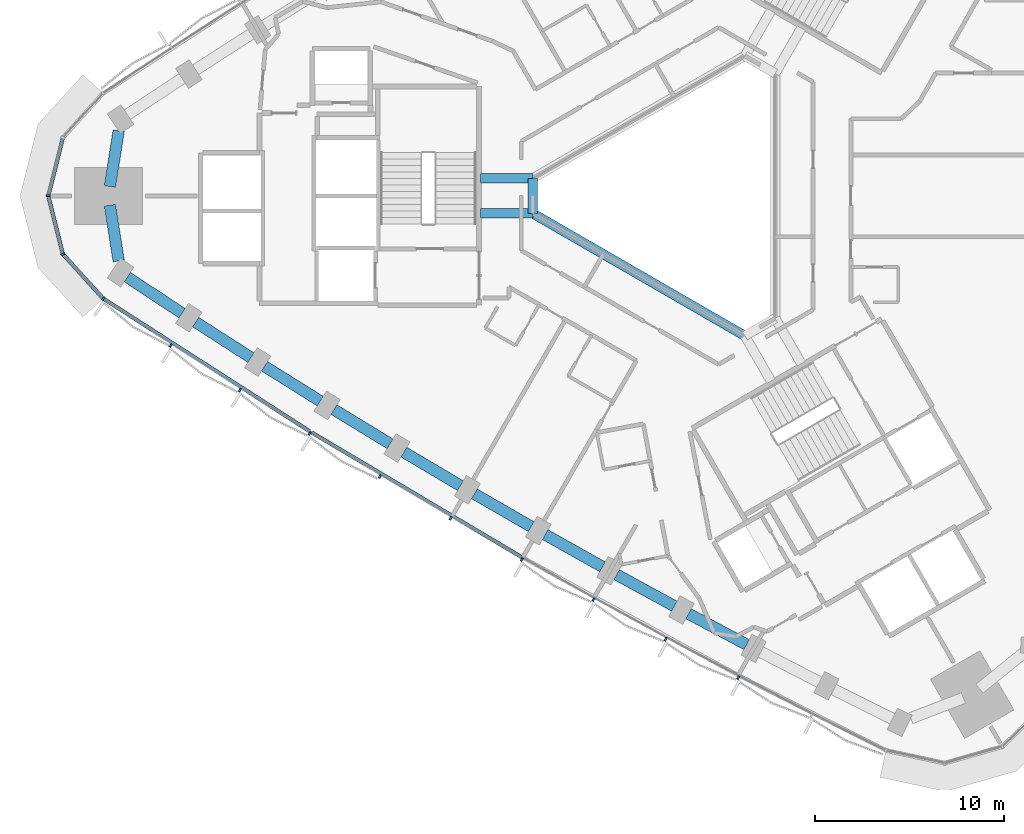
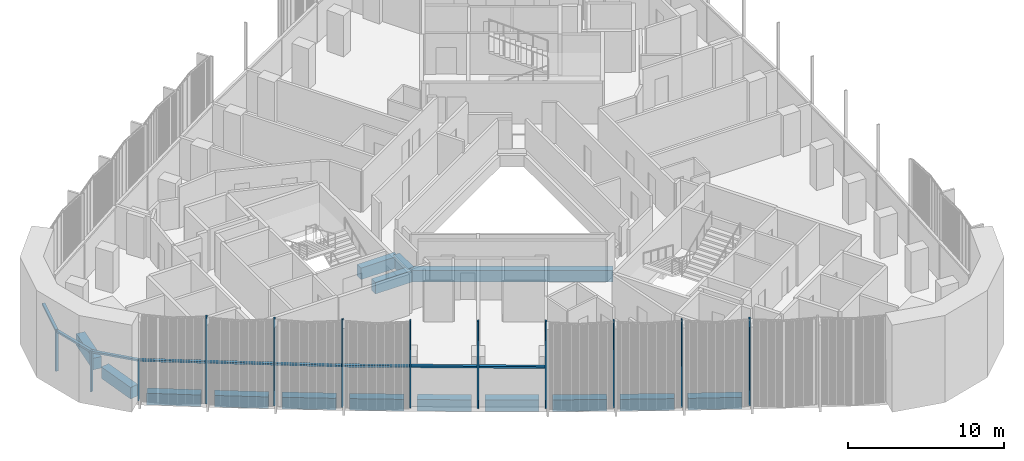
# One storey, part 2 of 15: 17 members, 15 beams, 2 elements without a shape of their own.
"""IFC4 building model written with IfcOpenShell, lengths in metres."""

from ifc_helpers import new_model, si_unit, direction, frame, origin, origin_2d, place, context, subcontext, project, spatial, rectangle, extrude, material, material_profile, profile_set, type_object, element, aggregate, save


model = new_model("IFC4")

# Units and contexts
model_context = context("Model", 3, precision=1e-05, world=origin(), true_north=direction((0.0, 1.0)))
body_context = subcontext(model_context, "Body", "Model", "MODEL_VIEW")
ifc_project = project(units=[si_unit("LENGTHUNIT", "METRE"), si_unit("AREAUNIT", "SQUARE_METRE"), si_unit("VOLUMEUNIT", "CUBIC_METRE"), si_unit("PLANEANGLEUNIT", "RADIAN"), si_unit("MASSUNIT", "GRAM", prefix="KILO")], contexts=[model_context])

# Site, building, storey
site_placement = place(None, origin())
site = spatial("IfcSite", under=ifc_project, at=site_placement, CompositionType="ELEMENT")
building_placement = place(site_placement, origin())
building = spatial("IfcBuilding", under=site, at=building_placement, Name="Tamra Quay Hotel Tower", CompositionType="ELEMENT")
storey_placement = place(building_placement, frame((0.0, 0.0, 128.800048828125)))
storey = spatial("IfcBuildingStorey", under=building, at=storey_placement, Name="L31", CompositionType="ELEMENT", Elevation=128.800048828125)

# Beams
ifc_material_1 = material(Name="Concrete M60", Category="concrete")
ifc_material_profile_1 = material_profile(ifc_material_1, rectangle(XDim=0.5, YDim=0.89990234375, at=origin_2d()), Name="ATRIUM EDGE BEAM RC 500x900")
ifc_profile_set_1 = profile_set([ifc_material_profile_1], Name="Concrete M60")
beam_type_1 = type_object("IfcBeamType", Name="ATRIUM EDGE BEAM RC 500x900", PredefinedType="BEAM", material=ifc_profile_set_1)
beam_1_placement = place(storey_placement, frame((3.199951171875, -7.39013671875, -0.85009765625), z_axis=(-0.866024942741, 0.500000798549, 0.0), x_axis=(-0.500000798549, -0.866024942741, 0.0)))
element("IfcBeam", 1, at=beam_1_placement, inside=storey, type_object=beam_type_1, Name="BM-AB2-L31", PredefinedType="BEAM", context=body_context, shape_type="SweptSolid", body=[
    extrude(rectangle(XDim=0.5, YDim=0.89990234375, at=origin_2d()), origin(), (0.0, 0.0, 1.0), 12.9326171875),
])
beam_2_placement = place(storey_placement, frame((-8.0, -0.923828125, -0.85009765625), z_axis=(0.0, 1.0, 0.0), x_axis=(-1.0, 0.0, 0.0)))
element("IfcBeam", 2, at=beam_2_placement, inside=storey, type_object=beam_type_1, Name="BM-AB3-L31", PredefinedType="BEAM", context=body_context, shape_type="SweptSolid", body=[
    extrude(rectangle(XDim=0.5, YDim=0.89990234375, at=origin_2d()), origin(), (0.0, 0.0, 1.0), 1.84765625),
])
ifc_material_profile_2 = material_profile(ifc_material_1, rectangle(XDim=0.5, YDim=0.89990234375, at=origin_2d()), Name="ATRIUM TIE BEAM RC 500x900")
ifc_profile_set_2 = profile_set([ifc_material_profile_2], Name="Concrete M60")
beam_type_2 = type_object("IfcBeamType", Name="ATRIUM TIE BEAM RC 500x900", PredefinedType="BEAM", material=ifc_profile_set_2)
for number, where, z_axis, x_axis, name in (
    (3, (-8.0, -0.923828125, -0.85009765625), (-1.0, 0.0, 0.0), (0.0, -1.0, 0.0), "BM-TIE-3-L31"),
    (4, (-8.0, 0.923828125, -0.85009765625), (-1.0, 0.0, 0.0), (0.0, -1.0, 0.0), "BM-TIE-4-L31"),
):
    element("IfcBeam", number, at=place(storey_placement, frame(where, z_axis=z_axis, x_axis=x_axis)), inside=storey, type_object=beam_type_2, Name=name, PredefinedType="BEAM", context=body_context, shape_type="SweptSolid", body=[
        extrude(rectangle(XDim=0.5, YDim=0.89990234375, at=origin_2d()), origin(), (0.0, 0.0, 1.0), 2.76220703125),
    ])

# Curtain wall, members
ifc_material_2 = material(Name="Aluminium 6063 anodised dark grey", Category="aluminium")
curtain_wall_type_1 = type_object("IfcCurtainWallType", Name="CW2 CURTAIN WALL", PredefinedType="NOTDEFINED", material=ifc_material_2)
curtain_wall_1_placement = place(storey_placement, origin())
curtain_wall_1 = element("IfcCurtainWall", 5, at=curtain_wall_1_placement, inside=storey, type_object=curtain_wall_type_1, Name="CW2 north-west face L31", PredefinedType="NOTDEFINED")
ifc_material_profile_3 = material_profile(ifc_material_2, rectangle(XDim=0.199951171875, YDim=0.10009765625, at=origin_2d()), Name="MULLION 100X200")
ifc_profile_set_3 = profile_set([ifc_material_profile_3], Name="Aluminium 6063 anodised dark grey")
member_type_1 = type_object("IfcMemberType", Name="MULLION CW2 Z3", PredefinedType="MULLION", material=ifc_profile_set_3)
member_1_placement = place(storey_placement, frame((-33.588134765625, 0.0, 0.0), z_axis=(0.0, 0.0, 1.0), x_axis=(-1.0, 0.0, 0.0)))
member_1 = element("IfcMember", 6, at=member_1_placement, type_object=member_type_1, Name="CW2 mullion L31.NW.14", PredefinedType="MULLION", context=body_context, shape_type="SweptSolid", body=[
    extrude(rectangle(XDim=0.199951171875, YDim=0.10009765625, at=origin_2d()), origin(), (0.0, 0.0, 1.0), 3.199951171875),
])
member_2_placement = place(storey_placement, frame((-32.81787109375, -3.075439453125, 0.0), z_axis=(0.0, 0.0, 1.0), x_axis=(-0.881925145425, -0.47138947577, 0.0)))
member_2 = element("IfcMember", 7, at=member_2_placement, type_object=member_type_1, Name="CW2 mullion L31.NW.15", PredefinedType="MULLION", context=body_context, shape_type="SweptSolid", body=[
    extrude(rectangle(XDim=0.199951171875, YDim=0.10009765625, at=origin_2d()), origin(), (0.0, 0.0, 1.0), 3.199951171875),
])

curtain_wall_type_2 = type_object("IfcCurtainWallType", Name="CW3 CURTAIN WALL", PredefinedType="NOTDEFINED", material=ifc_material_2)
curtain_wall_2_placement = place(storey_placement, origin())
curtain_wall_2 = element("IfcCurtainWall", 8, at=curtain_wall_2_placement, inside=storey, type_object=curtain_wall_type_2, Name="CW3 south-west face L31", PredefinedType="NOTDEFINED")
ifc_material_profile_4 = material_profile(ifc_material_2, rectangle(XDim=0.199951171875, YDim=0.10009765625, at=origin_2d()), Name="MULLION 100X200")
ifc_profile_set_4 = profile_set([ifc_material_profile_4], Name="Aluminium 6063 anodised dark grey")
member_type_2 = type_object("IfcMemberType", Name="MULLION CW3 Z3", PredefinedType="MULLION", material=ifc_profile_set_4)
member_3_placement = place(storey_placement, frame((-30.688720703125, -5.424560546875, 0.0), z_axis=(0.0, 0.0, 1.0), x_axis=(-0.650989312843, -0.759086895266, 0.0)))
member_3 = element("IfcMember", 9, at=member_3_placement, type_object=member_type_2, Name="CW3 mullion L31.SW.1", PredefinedType="MULLION", context=body_context, shape_type="SweptSolid", body=[
    extrude(rectangle(XDim=0.199951171875, YDim=0.10009765625, at=origin_2d()), origin(), (0.0, 0.0, 1.0), 3.199951171875),
])
member_4_placement = place(storey_placement, frame((-27.119140625, -7.899658203125, 0.0), z_axis=(0.0, 0.0, 1.0), x_axis=(-0.545780314448, -0.837928307411, 0.0)))
member_4 = element("IfcMember", 10, at=member_4_placement, type_object=member_type_2, Name="CW3 mullion L31.SW.2", PredefinedType="MULLION", context=body_context, shape_type="SweptSolid", body=[
    extrude(rectangle(XDim=0.199951171875, YDim=0.10009765625, at=origin_2d()), origin(), (0.0, 0.0, 1.0), 6.800048828125),
])
member_5_placement = place(storey_placement, frame((-23.466064453125, -10.248291015625, 0.0), z_axis=(0.0, 0.0, 1.0), x_axis=(-0.535760125246, -0.844370231709, 0.0)))
member_5 = element("IfcMember", 11, at=member_5_placement, type_object=member_type_2, Name="CW3 mullion L31.SW.3", PredefinedType="MULLION", context=body_context, shape_type="SweptSolid", body=[
    extrude(rectangle(XDim=0.199951171875, YDim=0.10009765625, at=origin_2d()), origin(), (0.0, 0.0, 1.0), 6.800048828125),
])
member_6_placement = place(storey_placement, frame((-19.784423828125, -12.5537109375, 0.0), z_axis=(0.0, 0.0, 1.0), x_axis=(-0.525646005383, -0.850703401325, 0.0)))
member_6 = element("IfcMember", 12, at=member_6_placement, type_object=member_type_2, Name="CW3 mullion L31.SW.4", PredefinedType="MULLION", context=body_context, shape_type="SweptSolid", body=[
    extrude(rectangle(XDim=0.199951171875, YDim=0.10009765625, at=origin_2d()), origin(), (0.0, 0.0, 1.0), 6.800048828125),
])
member_7_placement = place(storey_placement, frame((-16.07568359375, -14.814697265625, 0.0), z_axis=(0.0, 0.0, 1.0), x_axis=(-0.515444821911, -0.856922771062, 0.0)))
member_7 = element("IfcMember", 13, at=member_7_placement, type_object=member_type_2, Name="CW3 mullion L31.SW.5", PredefinedType="MULLION", context=body_context, shape_type="SweptSolid", body=[
    extrude(rectangle(XDim=0.199951171875, YDim=0.10009765625, at=origin_2d()), origin(), (0.0, 0.0, 1.0), 6.800048828125),
])
member_8_placement = place(storey_placement, frame((-12.3408203125, -17.031005859375, 0.0), z_axis=(0.0, 0.0, 1.0), x_axis=(-0.505168700956, -0.863020615961, 0.0)))
member_8 = element("IfcMember", 14, at=member_8_placement, type_object=member_type_2, Name="CW3 mullion L31.SW.6", PredefinedType="MULLION", context=body_context, shape_type="SweptSolid", body=[
    extrude(rectangle(XDim=0.199951171875, YDim=0.10009765625, at=origin_2d()), origin(), (0.0, 0.0, 1.0), 6.800048828125),
])
member_9_placement = place(storey_placement, frame((-8.578857421875, -19.202880859375, 0.0), z_axis=(0.0, 0.0, 1.0), x_axis=(-0.494813426934, -0.868999236205, 0.0)))
member_9 = element("IfcMember", 15, at=member_9_placement, type_object=member_type_2, Name="CW3 mullion L31.SW.7", PredefinedType="MULLION", context=body_context, shape_type="SweptSolid", body=[
    extrude(rectangle(XDim=0.199951171875, YDim=0.10009765625, at=origin_2d()), origin(), (0.0, 0.0, 1.0), 6.800048828125),
])
member_10_placement = place(storey_placement, frame((-4.792236328125, -21.329345703125, 0.0), z_axis=(0.0, 0.0, 1.0), x_axis=(-0.484394477866, -0.874849695555, 0.0)))
member_10 = element("IfcMember", 16, at=member_10_placement, type_object=member_type_2, Name="CW3 mullion L31.SW.8", PredefinedType="MULLION", context=body_context, shape_type="SweptSolid", body=[
    extrude(rectangle(XDim=0.199951171875, YDim=0.10009765625, at=origin_2d()), origin(), (0.0, 0.0, 1.0), 6.800048828125),
])
member_11_placement = place(storey_placement, frame((-0.9794921875, -23.41064453125, 0.0), z_axis=(0.0, 0.0, 1.0), x_axis=(-0.473907753941, -0.880574494722, 0.0)))
member_11 = element("IfcMember", 17, at=member_11_placement, type_object=member_type_2, Name="CW3 mullion L31.SW.9", PredefinedType="MULLION", context=body_context, shape_type="SweptSolid", body=[
    extrude(rectangle(XDim=0.199951171875, YDim=0.10009765625, at=origin_2d()), origin(), (0.0, 0.0, 1.0), 6.800048828125),
])
member_12_placement = place(storey_placement, frame((2.85791015625, -25.4462890625, 0.0), z_axis=(0.0, 0.0, 1.0), x_axis=(-0.463366008237, -0.886166994652, 0.0)))
member_12 = element("IfcMember", 18, at=member_12_placement, type_object=member_type_2, Name="CW3 mullion L31.SW.10", PredefinedType="MULLION", context=body_context, shape_type="SweptSolid", body=[
    extrude(rectangle(XDim=0.199951171875, YDim=0.10009765625, at=origin_2d()), origin(), (0.0, 0.0, 1.0), 6.800048828125),
])

# Beams
ifc_material_profile_5 = material_profile(ifc_material_1, rectangle(XDim=0.60009765625, YDim=0.89990234375, at=origin_2d()), Name="SPANDREL BEAM RC 600x900")
ifc_profile_set_5 = profile_set([ifc_material_profile_5], Name="Concrete M60")
beam_type_3 = type_object("IfcBeamType", Name="SPANDREL BEAM RC 600x900", PredefinedType="SPANDREL", material=ifc_profile_set_5)
for number, where, z_axis, x_axis, name in (
    (19, (-29.87060546875, 3.434814453125, -0.85009765625), (-0.156337236308, -0.987703735208, 0.0), (0.987703735208, -0.156337236308, 0.0), "BM-SP3-024-L31"),
    (20, (-30.336181640625, -0.493408203125, -0.85009765625), (0.156337236308, -0.987703735208, 0.0), (0.987703735208, 0.156337236308, 0.0), "BM-SP3-025-L31"),
):
    element("IfcBeam", number, at=place(storey_placement, frame(where, z_axis=z_axis, x_axis=x_axis)), inside=storey, type_object=beam_type_3, Name=name, PredefinedType="SPANDREL", context=body_context, shape_type="SweptSolid", body=[
        extrude(rectangle(XDim=0.60009765625, YDim=0.89990234375, at=origin_2d()), origin(), (0.0, 0.0, 1.0), 2.97802734375),
    ])
beam_3_placement = place(storey_placement, frame((-29.41796875, -4.28759765625, -0.85009765625), z_axis=(0.834690851507, -0.55071878705, 0.0), x_axis=(0.55071878705, 0.834690851507, 0.0)))
element("IfcBeam", 21, at=beam_3_placement, inside=storey, type_object=beam_type_3, Name="BM-SP3-026-L31", PredefinedType="SPANDREL", context=body_context, shape_type="SweptSolid", body=[
    extrude(rectangle(XDim=0.60009765625, YDim=0.89990234375, at=origin_2d()), origin(), (0.0, 0.0, 1.0), 3.472412109375),
])
beam_4_placement = place(storey_placement, frame((-25.807373046875, -6.663818359375, -0.85009765625), z_axis=(0.84116020305, -0.540786013878, 0.0), x_axis=(0.540786013878, 0.84116020305, 0.0)))
element("IfcBeam", 22, at=beam_4_placement, inside=storey, type_object=beam_type_3, Name="BM-SP3-027-L31", PredefinedType="SPANDREL", context=body_context, shape_type="SweptSolid", body=[
    extrude(rectangle(XDim=0.60009765625, YDim=0.89990234375, at=origin_2d()), origin(), (0.0, 0.0, 1.0), 3.47314453125),
])
for number, where, z_axis, x_axis, name in (
    (23, (-22.168212890625, -8.997314453125, -0.85009765625), (0.847547681474, -0.530719255, 0.0), (0.530719255, 0.847547681474, 0.0), "BM-SP3-028-L31"),
    (24, (-18.502197265625, -11.287109375, -0.85009765625), (0.853835813207, -0.520542413339, 0.0), (0.520542413339, 0.853835813207, 0.0), "BM-SP3-029-L31"),
):
    element("IfcBeam", number, at=place(storey_placement, frame(where, z_axis=z_axis, x_axis=x_axis)), inside=storey, type_object=beam_type_3, Name=name, PredefinedType="SPANDREL", context=body_context, shape_type="SweptSolid", body=[
        extrude(rectangle(XDim=0.60009765625, YDim=0.89990234375, at=origin_2d()), origin(), (0.0, 0.0, 1.0), 3.47216796875),
    ])
beam_5_placement = place(storey_placement, frame((-14.80908203125, -13.53271484375, -0.85009765625), z_axis=(0.859988767784, -0.510312962098, 0.0), x_axis=(0.510312962098, 0.859988767784, 0.0)))
element("IfcBeam", 25, at=beam_5_placement, inside=storey, type_object=beam_type_3, Name="BM-SP3-030-L31", PredefinedType="SPANDREL", context=body_context, shape_type="SweptSolid", body=[
    extrude(rectangle(XDim=0.60009765625, YDim=0.89990234375, at=origin_2d()), origin(), (0.0, 0.0, 1.0), 3.472900390625),
])
beam_6_placement = place(storey_placement, frame((-11.0888671875, -15.734375, -0.85009765625), z_axis=(0.866032201241, -0.499988226275, 0.0), x_axis=(0.499988226275, 0.866032201241, 0.0)))
element("IfcBeam", 26, at=beam_6_placement, inside=storey, type_object=beam_type_3, Name="BM-SP3-031-L31", PredefinedType="SPANDREL", context=body_context, shape_type="SweptSolid", body=[
    extrude(rectangle(XDim=0.60009765625, YDim=0.89990234375, at=origin_2d()), origin(), (0.0, 0.0, 1.0), 3.47216796875),
])
beam_7_placement = place(storey_placement, frame((-7.34326171875, -17.89111328125, -0.85009765625), z_axis=(0.871956406858, -0.489583521516, 0.0), x_axis=(0.489583521516, 0.871956406858, 0.0)))
element("IfcBeam", 27, at=beam_7_placement, inside=storey, type_object=beam_type_3, Name="BM-SP3-032-L31", PredefinedType="SPANDREL", context=body_context, shape_type="SweptSolid", body=[
    extrude(rectangle(XDim=0.60009765625, YDim=0.89990234375, at=origin_2d()), origin(), (0.0, 0.0, 1.0), 3.47265625),
])
for number, where, z_axis, x_axis, name in (
    (28, (-3.571533203125, -20.003173828125, -0.85009765625), (0.877731617539, -0.479152593202, 0.0), (0.479152593202, 0.877731617539, 0.0), "BM-SP3-033-L31"),
    (29, (0.224609375, -22.06982421875, -0.85009765625), (0.883411391477, -0.468598243071, 0.0), (0.468598243071, 0.883411391477, 0.0), "BM-SP3-034-L31"),
):
    element("IfcBeam", number, at=place(storey_placement, frame(where, z_axis=z_axis, x_axis=x_axis)), inside=storey, type_object=beam_type_3, Name=name, PredefinedType="SPANDREL", context=body_context, shape_type="SweptSolid", body=[
        extrude(rectangle(XDim=0.60009765625, YDim=0.89990234375, at=origin_2d()), origin(), (0.0, 0.0, 1.0), 3.472412109375),
    ])

# Member
ifc_material_profile_6 = material_profile(ifc_material_2, rectangle(XDim=0.199951171875, YDim=0.139892578125, at=origin_2d()), Name="TRANSOM 200X140")
ifc_profile_set_6 = profile_set([ifc_material_profile_6], Name="Aluminium 6063 anodised dark grey")
member_type_3 = type_object("IfcMemberType", Name="TRANSOM CW2 Z3", PredefinedType="USERDEFINED", material=ifc_profile_set_6)
member_13_placement = place(storey_placement, frame((-32.830078125, 3.02685546875, 3.1298828125), z_axis=(-0.243003342732, -0.970025450914, 0.0), x_axis=(0.970025450914, -0.243003342732, 0.0)))
member_13 = element("IfcMember", 30, at=member_13_placement, type_object=member_type_3, Name="CW2 transom L31.NW.13", ObjectType="TRANSOM", PredefinedType="USERDEFINED", context=body_context, shape_type="SweptSolid", body=[
    extrude(rectangle(XDim=0.199951171875, YDim=0.139892578125, at=origin_2d()), origin(), (0.0, 0.0, 1.0), 3.0703125),
])

member_14_placement = place(storey_placement, frame((-33.576171875, -0.048583984375, 3.1298828125), z_axis=(0.243003342732, -0.970025450914, 0.0), x_axis=(0.970025450914, 0.243003342732, 0.0)))
member_14 = element("IfcMember", 31, at=member_14_placement, type_object=member_type_3, Name="CW2 transom L31.NW.14", ObjectType="TRANSOM", PredefinedType="USERDEFINED", context=body_context, shape_type="SweptSolid", body=[
    extrude(rectangle(XDim=0.199951171875, YDim=0.139892578125, at=origin_2d()), origin(), (0.0, 0.0, 1.0), 3.0703125),
])

member_15_placement = place(storey_placement, frame((-32.784423828125, -3.1123046875, 3.1298828125), z_axis=(0.671548073699, -0.740960987307, 0.0), x_axis=(0.740960987307, 0.671548073699, 0.0)))
member_15 = element("IfcMember", 32, at=member_15_placement, type_object=member_type_3, Name="CW2 transom L31.NW.15", ObjectType="TRANSOM", PredefinedType="USERDEFINED", context=body_context, shape_type="SweptSolid", body=[
    extrude(rectangle(XDim=0.199951171875, YDim=0.139892578125, at=origin_2d()), origin(), (0.0, 0.0, 1.0), 3.070556640625),
])

aggregate(curtain_wall_1, [member_13, member_1, member_14, member_2, member_15])

ifc_material_profile_7 = material_profile(ifc_material_2, rectangle(XDim=0.199951171875, YDim=0.139892578125, at=origin_2d()), Name="TRANSOM 200X140")
ifc_profile_set_7 = profile_set([ifc_material_profile_7], Name="Aluminium 6063 anodised dark grey")
member_type_4 = type_object("IfcMemberType", Name="TRANSOM CW3 Z3", PredefinedType="USERDEFINED", material=ifc_profile_set_7)
member_16_placement = place(storey_placement, frame((-30.647216796875, -5.451904296875, 3.1298828125), z_axis=(0.841166815222, -0.540775728901, 0.0), x_axis=(0.540775728901, 0.841166815222, 0.0)))
member_16 = element("IfcMember", 33, at=member_16_placement, type_object=member_type_4, Name="CW3 transom L31.SW.1", ObjectType="TRANSOM", PredefinedType="USERDEFINED", context=body_context, shape_type="SweptSolid", body=[
    extrude(rectangle(XDim=0.199951171875, YDim=0.139892578125, at=origin_2d()), origin(), (0.0, 0.0, 1.0), 12.92578125),
])

member_17_placement = place(storey_placement, frame((-19.689208984375, -12.49462890625, 3.1298828125), z_axis=(0.859989187886, -0.510312254134, 0.0), x_axis=(0.510312254134, 0.859989187886, 0.0)))
member_17 = element("IfcMember", 34, at=member_17_placement, type_object=member_type_4, Name="CW3 transom L31.SW.4", ObjectType="TRANSOM", PredefinedType="USERDEFINED", context=body_context, shape_type="SweptSolid", body=[
    extrude(rectangle(XDim=0.199951171875, YDim=0.139892578125, at=origin_2d()), origin(), (0.0, 0.0, 1.0), 12.92626953125),
])

aggregate(curtain_wall_2, [member_3, member_16, member_4, member_5, member_6, member_17, member_7, member_8, member_9, member_10, member_11, member_12])

save(model, "model.ifc")
